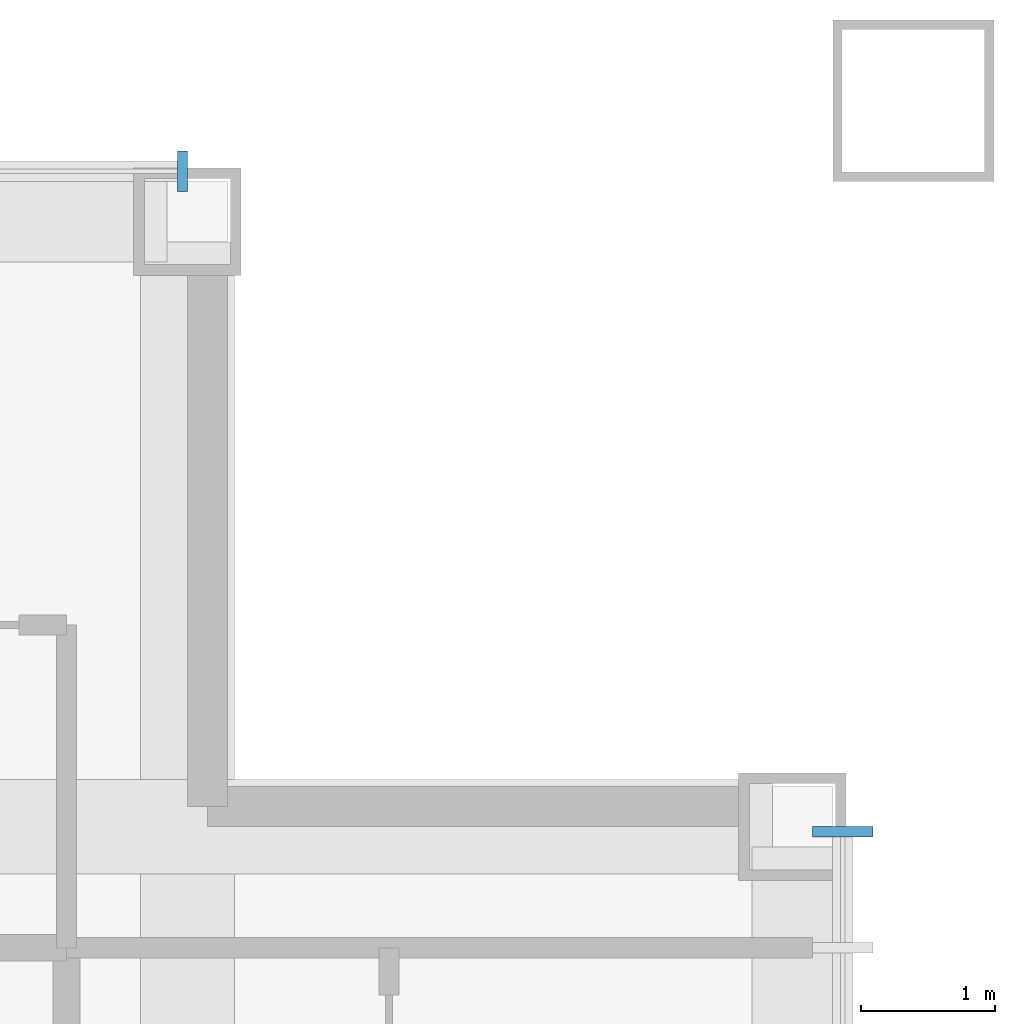
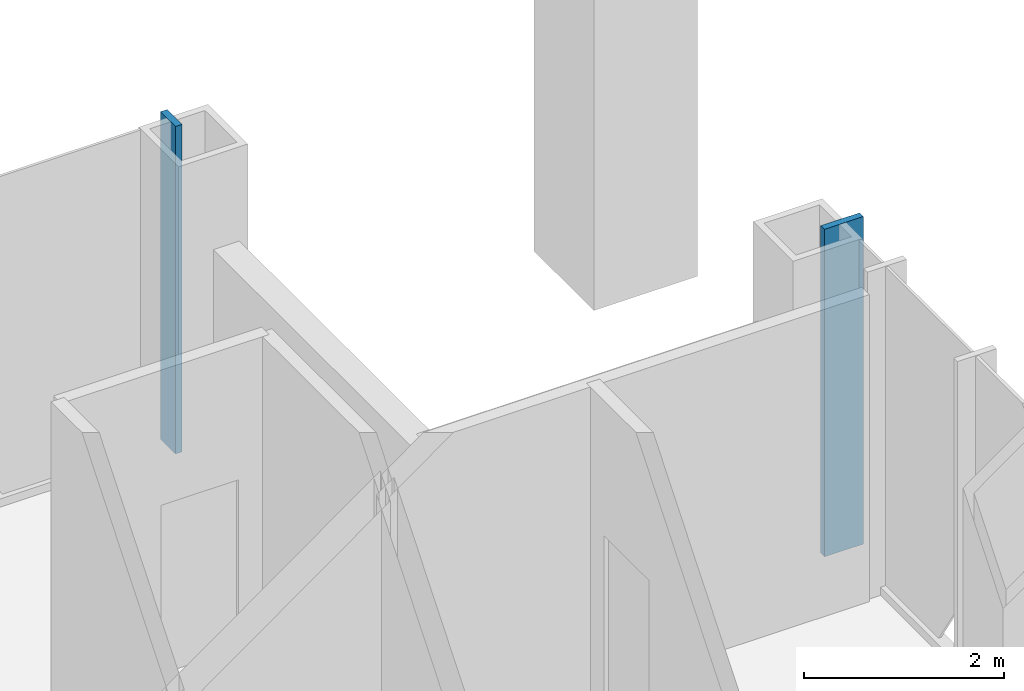
# One storey, part 5 of 12: 2 members, 2 elements without a shape of their own.
"""IFC4 building model written with IfcOpenShell, lengths in metres."""

from ifc_helpers import new_model, si_unit, direction, frame, origin, origin_2d, place, context, subcontext, project, spatial, rectangle, extrude, material, layer, layer_set, material_profile, profile_set, type_object, element, aggregate, save


model = new_model("IFC4")

# Units and contexts
model_context = context("Model", 3, precision=1e-05, world=origin(), true_north=direction((0.0, 1.0)))
body_context = subcontext(model_context, "Body", "Model", "MODEL_VIEW")
ifc_project = project(units=[si_unit("LENGTHUNIT", "METRE"), si_unit("AREAUNIT", "SQUARE_METRE"), si_unit("VOLUMEUNIT", "CUBIC_METRE"), si_unit("PLANEANGLEUNIT", "RADIAN"), si_unit("MASSUNIT", "GRAM", prefix="KILO")], contexts=[model_context])

# Site, building, storey
site_placement = place(None, origin())
site = spatial("IfcSite", under=ifc_project, at=site_placement, CompositionType="ELEMENT")
building_placement = place(site_placement, origin())
building = spatial("IfcBuilding", under=site, at=building_placement, Name="Malebo Sky Hospital", CompositionType="ELEMENT")
storey_placement = place(building_placement, frame((0.0, 0.0, 221.0)))
storey = spatial("IfcBuildingStorey", under=building, at=storey_placement, Name="L53", CompositionType="ELEMENT", Elevation=221.0)

# Curtain wall, member
ifc_material = material(Name="Anodised aluminium, natural silver", Category="aluminium")
ifc_layer_1 = layer(ifc_material, 0.25)
ifc_layer_set_1 = layer_set([ifc_layer_1], Name="WARD CURTAIN WALL NORTH AND SOUTH")
curtain_wall_type_1 = type_object("IfcCurtainWallType", Name="WARD CURTAIN WALL NORTH AND SOUTH", PredefinedType="NOTDEFINED", material=ifc_layer_set_1)
curtain_wall_1_placement = place(storey_placement, origin())
curtain_wall_1 = element("IfcCurtainWall", 1, at=curtain_wall_1_placement, inside=storey, type_object=curtain_wall_type_1, Name="NS curtain wall N", PredefinedType="NOTDEFINED")
ifc_material_profile_1 = material_profile(ifc_material, rectangle(XDim=0.074951171875, YDim=0.300048828125, at=origin_2d()), Name="CW1 ALUMINIUM FIN MULLION 75x300")
ifc_profile_set_1 = profile_set([ifc_material_profile_1], Name="Anodised aluminium, natural silver")
member_type_1 = type_object("IfcMemberType", Name="CW1 ALUMINIUM FIN MULLION 75x300", PredefinedType="MULLION", material=ifc_profile_set_1)
member_1_placement = place(storey_placement, frame((77.66259765625, 84.574951171875, 0.0), z_axis=(0.0, 0.0, 1.0), x_axis=(1.0, 0.0, 0.0)))
member_1 = element("IfcMember", 2, at=member_1_placement, type_object=member_type_1, Name="Fin mullion 14", PredefinedType="MULLION", context=body_context, shape_type="SweptSolid", body=[
    extrude(rectangle(XDim=0.074951171875, YDim=0.300048828125, at=origin_2d()), origin(), (0.0, 0.0, 1.0), 4.0),
])
aggregate(curtain_wall_1, [member_1])

ifc_layer_2 = layer(ifc_material, 0.25)
ifc_layer_set_2 = layer_set([ifc_layer_2], Name="WARD CURTAIN WALL EAST AND WEST")
curtain_wall_type_2 = type_object("IfcCurtainWallType", Name="WARD CURTAIN WALL EAST AND WEST", PredefinedType="NOTDEFINED", material=ifc_layer_set_2)
curtain_wall_2_placement = place(storey_placement, origin())
curtain_wall_2 = element("IfcCurtainWall", 3, at=curtain_wall_2_placement, inside=storey, type_object=curtain_wall_type_2, Name="EW curtain wall E", PredefinedType="NOTDEFINED")
ifc_material_profile_2 = material_profile(ifc_material, rectangle(XDim=0.074951171875, YDim=0.449951171875, at=origin_2d()), Name="CW2 ALUMINIUM FIN MULLION 75x450")
ifc_profile_set_2 = profile_set([ifc_material_profile_2], Name="Anodised aluminium, natural silver")
member_type_2 = type_object("IfcMemberType", Name="CW2 ALUMINIUM FIN MULLION 75x450", PredefinedType="MULLION", material=ifc_profile_set_2)
member_2_placement = place(storey_placement, frame((82.574951171875, 79.66259765625, 0.0), z_axis=(0.0, 0.0, 1.0), x_axis=(0.0, -1.0, 0.0)))
member_2 = element("IfcMember", 4, at=member_2_placement, type_object=member_type_2, Name="Fin mullion 1", PredefinedType="MULLION", context=body_context, shape_type="SweptSolid", body=[
    extrude(rectangle(XDim=0.074951171875, YDim=0.449951171875, at=origin_2d()), origin(), (0.0, 0.0, 1.0), 4.0),
])
aggregate(curtain_wall_2, [member_2])

save(model, "model.ifc")
